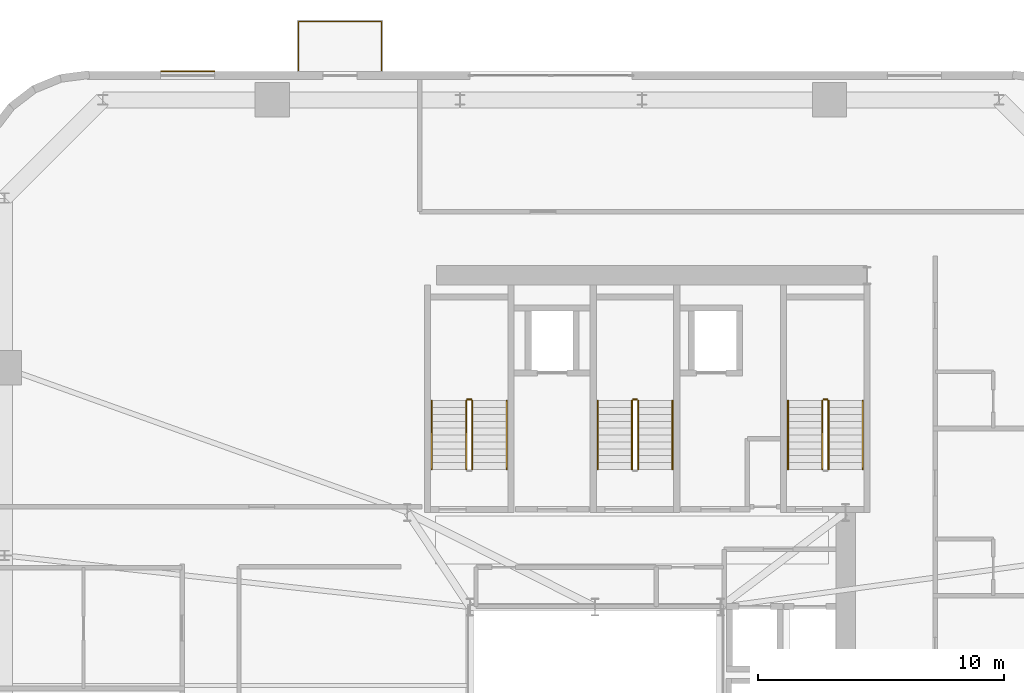
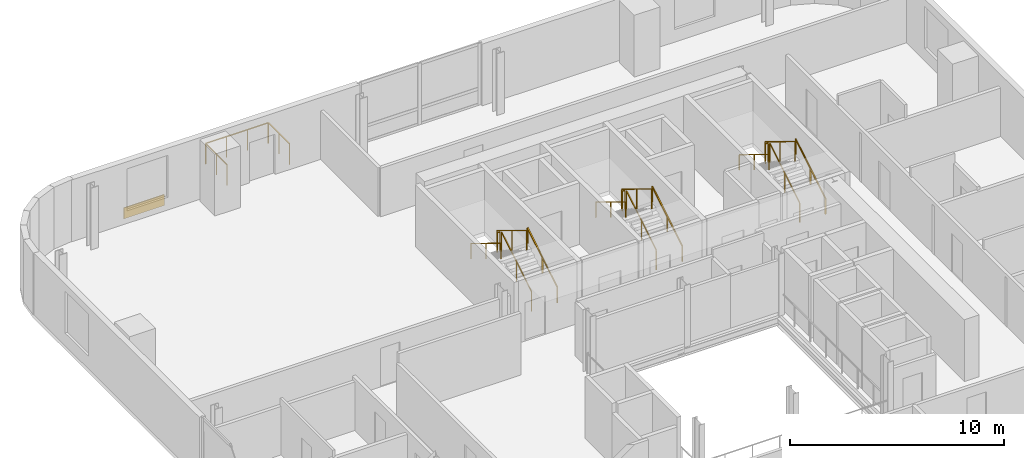
# One storey, part 15 of 16: 16 railings, 1 covering.
"""IFC4 building model written with IfcOpenShell, lengths in metres."""

from ifc_helpers import new_model, si_unit, direction, frame, origin, origin_2d, place, context, subcontext, project, spatial, rectangle, extrude, source, transform, mapped, material, layer, layer_set, type_object, element, save


model = new_model("IFC4")

# Units and contexts
model_context = context("Model", 3, precision=1e-05, world=origin(), true_north=direction((0.0, 1.0)))
body_context = subcontext(model_context, "Body", "Model", "MODEL_VIEW")
ifc_project = project(units=[si_unit("LENGTHUNIT", "METRE"), si_unit("AREAUNIT", "SQUARE_METRE"), si_unit("VOLUMEUNIT", "CUBIC_METRE"), si_unit("PLANEANGLEUNIT", "RADIAN"), si_unit("MASSUNIT", "GRAM", prefix="KILO")], contexts=[model_context])

# Site, building, storey
site_placement = place(None, origin())
site = spatial("IfcSite", under=ifc_project, at=site_placement, CompositionType="ELEMENT")
building_placement = place(site_placement, origin())
building = spatial("IfcBuilding", under=site, at=building_placement, Name="Vardaveli Station Tower", CompositionType="ELEMENT")
storey_placement = place(building_placement, frame((0.0, 0.0, 199.800048828125)))
storey = spatial("IfcBuildingStorey", under=building, at=storey_placement, Name="L51", CompositionType="ELEMENT", Elevation=199.800048828125)

# Covering
ifc_material_1 = material(Name="Ventilated honed travertine stone cladding", Category="masonry")
ifc_layer = layer(ifc_material_1, 0.044921875, Name="Ventilated honed travertine stone cladding")
ifc_layer_set = layer_set([ifc_layer], Name="Ventilated honed travertine stone cladding")
covering_type = type_object("IfcCoveringType", Name="COV-CLAD-TR45", PredefinedType="CLADDING", material=ifc_layer_set)
shared_shape_1 = source(origin(), body_context, "Body", "SweptSolid", [
    extrude(rectangle(XDim=2.199951171875, YDim=0.044921875, at=origin_2d()), origin(), (0.0, 0.0, 1.0), 0.6201171875),
])
covering_placement = place(storey_placement, frame((19.705078125, 48.614501953125, 0.06982421875), z_axis=(0.0, 0.0, 1.0), x_axis=(1.0, 0.0, 0.0)))
element("IfcCovering", 1, at=covering_placement, inside=storey, type_object=covering_type, Name="CLD-TR-L51-N", PredefinedType="CLADDING", context=body_context, shape_type="MappedRepresentation", body=[
    mapped(shared_shape_1, transform((0.0, 0.0, 0.0), scale=1.0)),
])

# Railings
ifc_material_2 = material(Name="Laminated glass and stainless steel balustrade", Category="steel")
railing_type_1 = type_object("IfcRailingType", Name="RL-BAL-1200", PredefinedType="BALUSTRADE", material=ifc_material_2)
shared_shape_2 = source(origin(), body_context, "Body", "SweptSolid", [
    extrude(rectangle(XDim=0.048095703125, YDim=0.048095703125, at=origin_2d()), frame((0.0, 0.0, 1.17578125), z_axis=(0.0, 1.0, 0.0), x_axis=(-1.0, 0.0, 0.0)), (0.0, 0.0, 1.0), 2.0),
    extrude(rectangle(XDim=0.048095703125, YDim=0.048095703125, at=origin_2d()), frame((0.0, 2.0, 1.17578125), z_axis=(1.0, 0.0, 0.0), x_axis=(0.0, 1.0, 0.0)), (0.0, 0.0, 1.0), 3.3798828125),
    extrude(rectangle(XDim=0.048095703125, YDim=0.048095703125, at=origin_2d()), frame((3.3798828125, 2.0, 1.17578125), z_axis=(0.0, -1.0, 0.0), x_axis=(1.0, 0.0, 0.0)), (0.0, 0.0, 1.0), 2.0),
    extrude(rectangle(XDim=0.0419921875, YDim=0.0419921875, at=origin_2d()), origin(), (0.0, 0.0, 1.0), 1.15185546875),
    extrude(rectangle(XDim=0.0419921875, YDim=0.0419921875, at=origin_2d()), frame((0.0, 1.0, 0.0)), (0.0, 0.0, 1.0), 1.15185546875),
    extrude(rectangle(XDim=0.0419921875, YDim=0.0419921875, at=origin_2d()), frame((0.0, 2.0, 0.0)), (0.0, 0.0, 1.0), 1.15185546875),
    extrude(rectangle(XDim=0.0419921875, YDim=0.0419921875, at=origin_2d()), frame((1.126708984375, 2.0, 0.0)), (0.0, 0.0, 1.0), 1.15185546875),
    extrude(rectangle(XDim=0.0419921875, YDim=0.0419921875, at=origin_2d()), frame((2.253173828125, 2.0, 0.0)), (0.0, 0.0, 1.0), 1.15185546875),
    extrude(rectangle(XDim=0.0419921875, YDim=0.0419921875, at=origin_2d()), frame((3.3798828125, 2.0, 0.0)), (0.0, 0.0, 1.0), 1.15185546875),
    extrude(rectangle(XDim=0.0419921875, YDim=0.0419921875, at=origin_2d()), frame((3.3798828125, 1.0, 0.0)), (0.0, 0.0, 1.0), 1.15185546875),
    extrude(rectangle(XDim=0.0419921875, YDim=0.0419921875, at=origin_2d()), frame((3.3798828125, 0.0, 0.0)), (0.0, 0.0, 1.0), 1.15185546875),
])
railing_placement = place(storey_placement, frame((24.220458984375, 48.639892578125, 0.0)))
element("IfcRailing", 2, at=railing_placement, inside=storey, type_object=railing_type_1, Name="RL-LOG-L51-02", PredefinedType="BALUSTRADE", context=body_context, shape_type="MappedRepresentation", body=[
    mapped(shared_shape_2, transform((0.0, 0.0, 0.0), scale=1.0)),
])
ifc_material_3 = material(Name="Brushed AISI 316 stainless steel", Category="steel")
railing_type_2 = type_object("IfcRailingType", Name="RL-GUARD-1150", PredefinedType="GUARDRAIL", material=ifc_material_3)
shared_shape_3 = source(origin(), body_context, "Body", "SweptSolid", [
    extrude(rectangle(XDim=0.048095703125, YDim=0.048095703125, at=origin_2d()), frame((0.0, 0.0, 1.1259765625), z_axis=(-1.0, 0.0, 0.0), x_axis=(0.0, -1.0, 0.0)), (0.0, 0.0, 1.0), 0.14990234375),
    extrude(rectangle(XDim=0.0419921875, YDim=0.0419921875, at=origin_2d()), origin(), (0.0, 0.0, 1.0), 1.101806640625),
    extrude(rectangle(XDim=0.0419921875, YDim=0.0419921875, at=origin_2d()), frame((-0.14990234375, 0.0, 0.0)), (0.0, 0.0, 1.0), 1.101806640625),
])
for number, where, name in (
    (3, (31.25, 35.25, 1.875), "L51 ST-1 stair guard 2"),
    (4, (38.0, 35.25, 1.875), "L51 ST-2 stair guard 2"),
    (5, (45.75, 35.25, 1.875), "L51 ST-3 stair guard 2"),
):
    element("IfcRailing", number, at=place(storey_placement, frame(where)), inside=storey, type_object=railing_type_2, Name=name, PredefinedType="GUARDRAIL", context=body_context, shape_type="MappedRepresentation", body=[
        mapped(shared_shape_3, transform((0.0, 0.0, 0.0), scale=1.0)),
    ])
shared_shape_4 = source(origin(), body_context, "Body", "SweptSolid", [
    extrude(rectangle(XDim=0.048095703125, YDim=0.048095703125, at=origin_2d()), frame((0.0, 0.0, 1.1259765625), z_axis=(0.0, 0.854169791009, 0.51999420009), x_axis=(-1.0, 0.0, 0.0)), (0.0, 0.0, 1.0), 3.278076171875),
    extrude(rectangle(XDim=0.0419921875, YDim=0.0419921875, at=origin_2d()), origin(), (0.0, 0.0, 1.0), 1.101806640625),
    extrude(rectangle(XDim=0.0419921875, YDim=0.0419921875, at=origin_2d()), frame((0.0, 1.39990234375, 0.852294921875)), (0.0, 0.0, 1.0), 1.101806640625),
    extrude(rectangle(XDim=0.0419921875, YDim=0.0419921875, at=origin_2d()), frame((0.0, 2.800048828125, 1.70458984375)), (0.0, 0.0, 1.0), 1.101806640625),
])
for number, where, name in (
    (6, (31.300048828125, 32.39990234375, 0.17041015625), "L51 ST-1 stair guard 1"),
    (7, (38.050048828125, 32.39990234375, 0.17041015625), "L51 ST-2 stair guard 1"),
    (8, (45.800048828125, 32.39990234375, 0.17041015625), "L51 ST-3 stair guard 1"),
):
    element("IfcRailing", number, at=place(storey_placement, frame(where)), inside=storey, type_object=railing_type_2, Name=name, PredefinedType="GUARDRAIL", context=body_context, shape_type="MappedRepresentation", body=[
        mapped(shared_shape_4, transform((0.0, 0.0, 0.0), scale=1.0)),
    ])
shared_shape_5 = source(origin(), body_context, "Body", "SweptSolid", [
    extrude(rectangle(XDim=0.048095703125, YDim=0.048095703125, at=origin_2d()), frame((0.0, 0.0, 1.1259765625), z_axis=(0.0, -0.854169791009, 0.51999420009), x_axis=(1.0, 0.0, 0.0)), (0.0, 0.0, 1.0), 3.278076171875),
    extrude(rectangle(XDim=0.0419921875, YDim=0.0419921875, at=origin_2d()), origin(), (0.0, 0.0, 1.0), 1.101806640625),
    extrude(rectangle(XDim=0.0419921875, YDim=0.0419921875, at=origin_2d()), frame((0.0, -1.39990234375, 0.852294921875)), (0.0, 0.0, 1.0), 1.101806640625),
    extrude(rectangle(XDim=0.0419921875, YDim=0.0419921875, at=origin_2d()), frame((0.0, -2.800048828125, 1.70458984375)), (0.0, 0.0, 1.0), 1.101806640625),
])
for number, where, name in (
    (9, (31.050048828125, 35.199951171875, 2.04541015625), "L51 ST-1 stair guard 3"),
    (10, (37.800048828125, 35.199951171875, 2.04541015625), "L51 ST-2 stair guard 3"),
    (11, (45.550048828125, 35.199951171875, 2.04541015625), "L51 ST-3 stair guard 3"),
):
    element("IfcRailing", number, at=place(storey_placement, frame(where)), inside=storey, type_object=railing_type_2, Name=name, PredefinedType="GUARDRAIL", context=body_context, shape_type="MappedRepresentation", body=[
        mapped(shared_shape_5, transform((0.0, 0.0, 0.0), scale=1.0)),
    ])
railing_type_3 = type_object("IfcRailingType", Name="RL-HAND-900", PredefinedType="HANDRAIL", material=ifc_material_3)
shared_shape_6 = source(origin(), body_context, "Body", "SweptSolid", [
    extrude(rectangle(XDim=0.048095703125, YDim=0.048095703125, at=origin_2d()), frame((0.0, 0.0, 0.8759765625), z_axis=(0.0, 0.854169791009, 0.51999420009), x_axis=(-1.0, 0.0, 0.0)), (0.0, 0.0, 1.0), 3.278076171875),
    extrude(rectangle(XDim=0.0419921875, YDim=0.0419921875, at=origin_2d()), origin(), (0.0, 0.0, 1.0), 0.851806640625),
    extrude(rectangle(XDim=0.0419921875, YDim=0.0419921875, at=origin_2d()), frame((0.0, 1.39990234375, 0.852294921875)), (0.0, 0.0, 1.0), 0.851806640625),
    extrude(rectangle(XDim=0.0419921875, YDim=0.0419921875, at=origin_2d()), frame((0.0, 2.800048828125, 1.70458984375)), (0.0, 0.0, 1.0), 0.851806640625),
])
for number, where, name in (
    (12, (32.699951171875, 32.39990234375, 0.17041015625), "L51 ST-1 stair handrail 1"),
    (13, (39.449951171875, 32.39990234375, 0.17041015625), "L51 ST-2 stair handrail 1"),
    (14, (47.199951171875, 32.39990234375, 0.17041015625), "L51 ST-3 stair handrail 1"),
):
    element("IfcRailing", number, at=place(storey_placement, frame(where)), inside=storey, type_object=railing_type_3, Name=name, PredefinedType="HANDRAIL", context=body_context, shape_type="MappedRepresentation", body=[
        mapped(shared_shape_6, transform((0.0, 0.0, 0.0), scale=1.0)),
    ])
shared_shape_7 = source(origin(), body_context, "Body", "SweptSolid", [
    extrude(rectangle(XDim=0.048095703125, YDim=0.048095703125, at=origin_2d()), frame((0.0, 0.0, 0.8759765625), z_axis=(0.0, -0.854169791009, 0.51999420009), x_axis=(1.0, 0.0, 0.0)), (0.0, 0.0, 1.0), 3.278076171875),
    extrude(rectangle(XDim=0.0419921875, YDim=0.0419921875, at=origin_2d()), origin(), (0.0, 0.0, 1.0), 0.851806640625),
    extrude(rectangle(XDim=0.0419921875, YDim=0.0419921875, at=origin_2d()), frame((0.0, -1.39990234375, 0.852294921875)), (0.0, 0.0, 1.0), 0.851806640625),
    extrude(rectangle(XDim=0.0419921875, YDim=0.0419921875, at=origin_2d()), frame((0.0, -2.800048828125, 1.70458984375)), (0.0, 0.0, 1.0), 0.851806640625),
])
for number, where, name in (
    (15, (29.64990234375, 35.199951171875, 2.04541015625), "L51 ST-1 stair handrail 2"),
    (16, (36.39990234375, 35.199951171875, 2.04541015625), "L51 ST-2 stair handrail 2"),
    (17, (44.14990234375, 35.199951171875, 2.04541015625), "L51 ST-3 stair handrail 2"),
):
    element("IfcRailing", number, at=place(storey_placement, frame(where)), inside=storey, type_object=railing_type_3, Name=name, PredefinedType="HANDRAIL", context=body_context, shape_type="MappedRepresentation", body=[
        mapped(shared_shape_7, transform((0.0, 0.0, 0.0), scale=1.0)),
    ])

save(model, "model.ifc")
